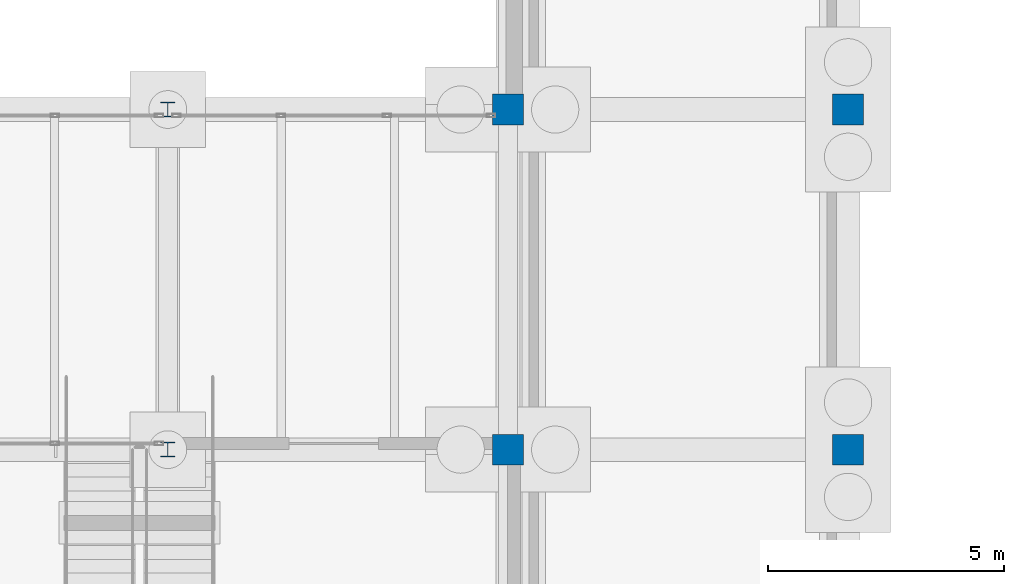
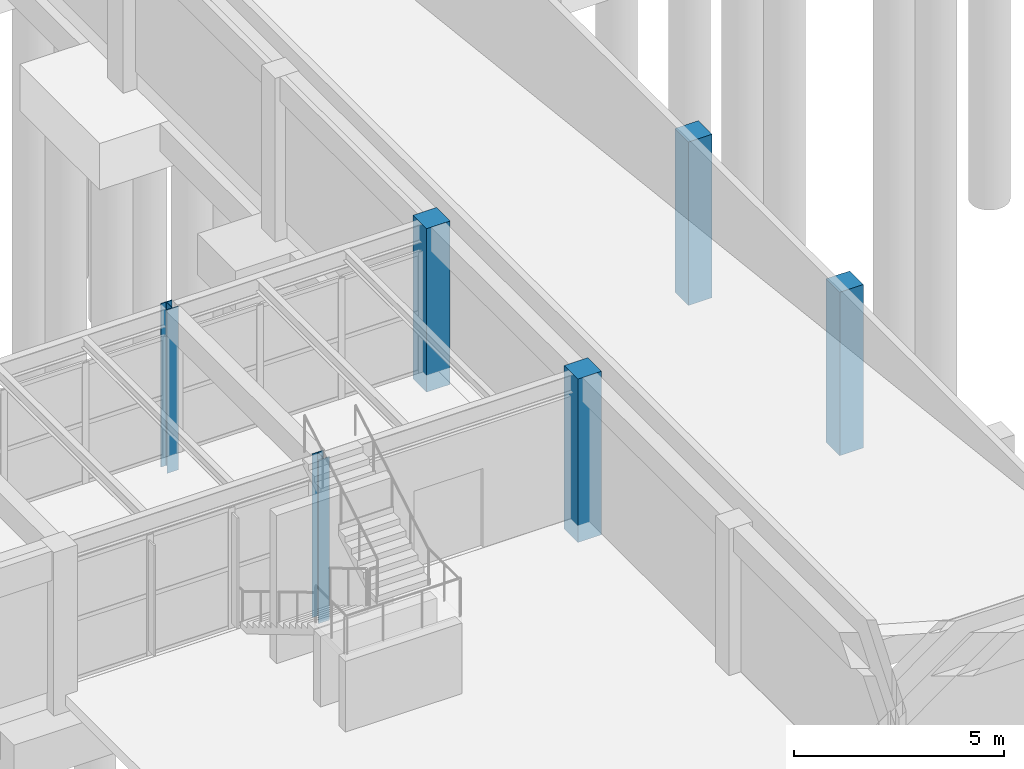
# One storey, part 5 of 28: 6 columns.
"""IFC4 building model written with IfcOpenShell, lengths in metres."""

from ifc_helpers import new_model, si_unit, direction, frame, origin, origin_2d, place, context, subcontext, project, spatial, rectangle, i_section, extrude, material, material_profile, profile_set, type_object, element, save


model = new_model("IFC4")

# Units and contexts
model_context = context("Model", 3, precision=1e-05, world=origin(), true_north=direction((0.0, 1.0)))
body_context = subcontext(model_context, "Body", "Model", "MODEL_VIEW")
ifc_project = project(units=[si_unit("LENGTHUNIT", "METRE"), si_unit("AREAUNIT", "SQUARE_METRE"), si_unit("VOLUMEUNIT", "CUBIC_METRE"), si_unit("PLANEANGLEUNIT", "RADIAN"), si_unit("MASSUNIT", "GRAM", prefix="KILO")], contexts=[model_context])

# Site, building, storey
site_placement = place(None, origin())
site = spatial("IfcSite", under=ifc_project, at=site_placement, CompositionType="ELEMENT")
building_placement = place(site_placement, origin())
building = spatial("IfcBuilding", under=site, at=building_placement, Name="Bramvelor Terrace Health Centre", CompositionType="ELEMENT")
storey_placement = place(building_placement, frame((0.0, 0.0, -4.5)))
storey = spatial("IfcBuildingStorey", under=building, at=storey_placement, Name="B1", CompositionType="ELEMENT", Elevation=-4.5)

# Columns
ifc_material_1 = material(Name="Concrete C40/50", Category="concrete")
ifc_material_profile_1 = material_profile(ifc_material_1, rectangle(XDim=0.64990234375, YDim=0.64990234375, at=origin_2d()), Name="RC 650x650")
ifc_profile_set_1 = profile_set([ifc_material_profile_1], Name="Concrete C40/50")
column_type_1 = type_object("IfcColumnType", Name="COL-RC-650", PredefinedType="COLUMN", material=ifc_profile_set_1)
for number, where, z_axis, x_axis, name in (
    (1, (43.199951171875, 50.39990234375, -0.5), (0.0, 0.0, 1.0), (1.0, 0.0, 0.0), "B1 Column (43.2, 50.4)"),
    (2, (43.199951171875, 57.60009765625, -0.5), (0.0, 0.0, 1.0), (1.0, 0.0, 0.0), "B1 Column (43.2, 57.6)"),
    (3, (50.39990234375, 50.39990234375, -0.5), (0.0, 0.0, 1.0), (1.0, 0.0, 0.0), "B1 Column (50.4, 50.4)"),
    (4, (50.39990234375, 57.60009765625, -0.5), (0.0, 0.0, 1.0), (1.0, 0.0, 0.0), "B1 Column (50.4, 57.6)"),
):
    element("IfcColumn", number, at=place(storey_placement, frame(where, z_axis=z_axis, x_axis=x_axis)), inside=storey, type_object=column_type_1, Name=name, PredefinedType="COLUMN", context=body_context, shape_type="SweptSolid", body=[
        extrude(rectangle(XDim=0.64990234375, YDim=0.64990234375, at=origin_2d()), origin(), (0.0, 0.0, 1.0), 4.75),
    ])
ifc_material_2 = material(Name="Steel S355J2", Category="steel")
ifc_material_profile_2 = material_profile(ifc_material_2, i_section(OverallWidth=0.307373046875, OverallDepth=0.314453125, WebThickness=0.011962890625, FlangeThickness=0.018798828125, FilletRadius=0.01513671875, at=origin_2d()), Name="UC 305x305x118")
ifc_profile_set_2 = profile_set([ifc_material_profile_2], Name="Steel S355J2")
column_type_2 = type_object("IfcColumnType", Name="COL-STL-UC305", PredefinedType="COLUMN", material=ifc_profile_set_2)
for number, where, z_axis, x_axis, name in (
    (5, (36.0, 50.39990234375, -0.5), (0.0, 0.0, 1.0), (1.0, 0.0, 0.0), "B1 Column (36.0, 50.4)"),
    (6, (36.0, 57.60009765625, -0.5), (0.0, 0.0, 1.0), (1.0, 0.0, 0.0), "B1 Column (36.0, 57.6)"),
):
    element("IfcColumn", number, at=place(storey_placement, frame(where, z_axis=z_axis, x_axis=x_axis)), inside=storey, type_object=column_type_2, Name=name, PredefinedType="COLUMN", context=body_context, shape_type="SweptSolid", body=[
        extrude(i_section(OverallWidth=0.307373046875, OverallDepth=0.314453125, WebThickness=0.011962890625, FlangeThickness=0.018798828125, FilletRadius=0.01513671875, at=origin_2d()), origin(), (0.0, 0.0, 1.0), 4.75),
    ])

save(model, "model.ifc")
